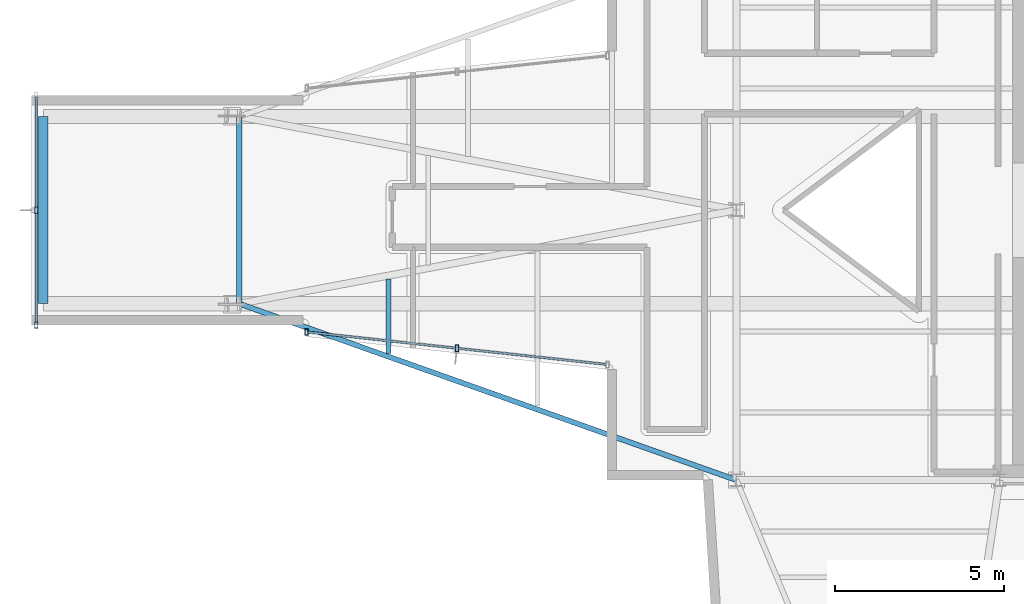
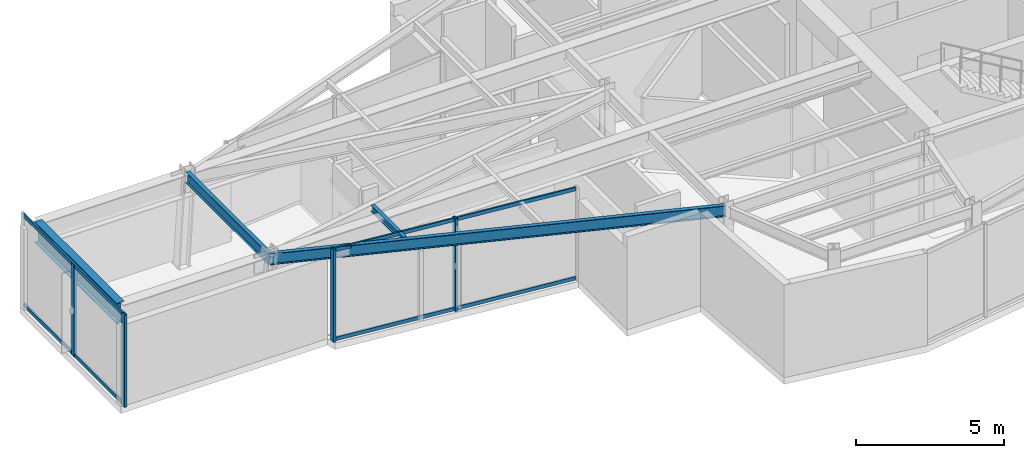
# One storey, part 2 of 18: 8 members, 4 beams, 2 elements without a shape of their own.
"""IFC4 building model written with IfcOpenShell, lengths in metres."""

import ifcopenshell
import ifcopenshell.guid

model = None  # the IFC model being written
_history = None  # IfcOwnerHistory: only IFC2X3 demands one
_inside = {}  # id of a spatial element -> (the spatial element, [elements in it])
_under = {}  # id of a project, library or spatial element -> (it, [spatial elements below it])
_declared = {}  # id of a project -> (the project, [libraries it declares])
_typed = {}  # id of a type object -> (the type object, [elements of that type])
_made_of = {}  # id of a material, layer set ... -> (it, [elements and type objects made of it])


def new_model(schema):
    """Start an empty IFC model of exactly this schema.

    Asked for "IFC4X3", IfcOpenShell would pick the latest addendum, in which some entities
    have other attributes; the version numbers below select the first issue.
    IFC2X3 requires an IfcOwnerHistory on every rooted entity: one is made here for all.
    """
    global model, _history
    if schema == "IFC4X3":
        model = ifcopenshell.file(schema_version=(4, 3, 0, 0))
    else:
        model = ifcopenshell.file(schema=schema)
    _inside.clear()
    _under.clear()
    _declared.clear()
    _typed.clear()
    _made_of.clear()
    _history = None
    if model.schema == "IFC2X3":
        org = make("IfcOrganization", Name="unknown")
        user = make(
            "IfcPersonAndOrganization",
            ThePerson=make("IfcPerson", FamilyName="unknown"),
            TheOrganization=org,
        )
        app = make(
            "IfcApplication",
            ApplicationDeveloper=org,
            Version="unknown",
            ApplicationFullName="unknown",
            ApplicationIdentifier="unknown",
        )
        _history = make(
            "IfcOwnerHistory",
            OwningUser=user,
            OwningApplication=app,
            ChangeAction="ADDED",
            CreationDate=0,
        )
    return model


def make(cls, **values):
    """One entity of the class cls with the attributes given. An attribute that is None is left unset."""
    return model.create_entity(
        cls, **{name: value for name, value in values.items() if value is not None}
    )


def rooted(cls, **values):
    """An entity with a GlobalId (a new one), such as an element, a storey or a relation."""
    return make(cls, GlobalId=ifcopenshell.guid.new(), OwnerHistory=_history, **values)


def si_unit(unit_type, name, prefix=None):
    """IfcSIUnit, for example si_unit("LENGTHUNIT", "METRE", prefix="MILLI")."""
    return make("IfcSIUnit", UnitType=unit_type, Prefix=prefix, Name=name)


def assignment(units):
    """IfcUnitAssignment: the units of a project."""
    return None if units is None else make("IfcUnitAssignment", Units=units)


def point(xyz):
    """IfcCartesianPoint."""
    return None if xyz is None else make("IfcCartesianPoint", Coordinates=xyz)


def direction(xyz):
    """IfcDirection."""
    return None if xyz is None else make("IfcDirection", DirectionRatios=xyz)


def frame(location, z_axis=None, x_axis=None):
    """IfcAxis2Placement3D, a coordinate frame: its origin and axes. An axis left out is left unset."""
    return make(
        "IfcAxis2Placement3D",
        Location=point(location),
        Axis=direction(z_axis),
        RefDirection=direction(x_axis),
    )


def frame_2d(location, x_axis=None):
    """IfcAxis2Placement2D, a coordinate frame in the plane: its origin and x axis."""
    return make(
        "IfcAxis2Placement2D", Location=point(location), RefDirection=direction(x_axis)
    )


def origin():
    """The frame at (0, 0, 0) with its axes left unset."""
    return frame((0.0, 0.0, 0.0))


def origin_2d():
    """The frame at (0, 0) in the plane with its x axis left unset."""
    return frame_2d((0.0, 0.0))


def place(relative_to, where):
    """IfcLocalPlacement: puts the frame where relative to a parent placement (None: the world)."""
    return make(
        "IfcLocalPlacement", PlacementRelTo=relative_to, RelativePlacement=where
    )


def context(
    kind, dimensions, precision=None, world=None, true_north=None, identifier=None
):
    """IfcGeometricRepresentationContext, for example the 3D "Model" context."""
    return make(
        "IfcGeometricRepresentationContext",
        ContextIdentifier=identifier,
        ContextType=kind,
        CoordinateSpaceDimension=dimensions,
        Precision=precision,
        WorldCoordinateSystem=world,
        TrueNorth=true_north,
    )


def subcontext(parent, identifier, kind, view, scale=None):
    """IfcGeometricRepresentationSubContext, for example "Body" below "Model"."""
    return make(
        "IfcGeometricRepresentationSubContext",
        ContextIdentifier=identifier,
        ContextType=kind,
        ParentContext=parent,
        TargetScale=scale,
        TargetView=view,
    )


def project(units=None, contexts=None):
    """IfcProject with its units and contexts."""
    return rooted(
        "IfcProject",
        Name="project",
        RepresentationContexts=contexts,
        UnitsInContext=assignment(units),
    )


def spatial(cls, under=None, at=None, **own):
    """A site, building, storey or space (cls), placed at a placement, below another one or the project."""
    s = rooted(cls, ObjectPlacement=at, **own)
    if under is not None:
        _under.setdefault(under.id(), (under, []))[1].append(s)
    return s


def profile(cls, at=None, kind="AREA", **sizes):
    """A parametric profile (cls). Its sizes go by their IFC names, for example OverallWidth=200.0."""
    return make(cls, ProfileType=kind, Position=at, **sizes)


def hollow_rectangle(**sizes):
    """IfcRectangleHollowProfileDef."""
    return profile("IfcRectangleHollowProfileDef", **sizes)


def i_section(**sizes):
    """IfcIShapeProfileDef."""
    return profile("IfcIShapeProfileDef", **sizes)


def extrude(swept, where, along, depth):
    """IfcExtrudedAreaSolid: the profile swept, set in the frame where, extruded along a direction by depth."""
    return make(
        "IfcExtrudedAreaSolid",
        SweptArea=swept,
        Position=where,
        ExtrudedDirection=direction(along),
        Depth=depth,
    )


def shape(context_of_items, identifier, shape_type, items):
    """IfcShapeRepresentation: the items that make up one representation, for example the "Body"."""
    return make(
        "IfcShapeRepresentation",
        ContextOfItems=context_of_items,
        RepresentationIdentifier=identifier,
        RepresentationType=shape_type,
        Items=items,
    )


def material(Name=None, Category=None):
    """IfcMaterial."""
    return make("IfcMaterial", Name=Name, Category=Category)


def layer(
    of_material, thickness, ventilated=None, Name=None, Category=None, Priority=None
):
    """IfcMaterialLayer: one layer of a wall or slab, of a material (None: an air gap)."""
    return make(
        "IfcMaterialLayer",
        Material=of_material,
        LayerThickness=thickness,
        IsVentilated=ventilated,
        Name=Name,
        Category=Category,
        Priority=Priority,
    )


def layer_set(layers, Name=None):
    """IfcMaterialLayerSet."""
    return make("IfcMaterialLayerSet", MaterialLayers=layers, LayerSetName=Name)


def material_profile(
    of_material, cross_section, Name=None, Category=None, Priority=None
):
    """IfcMaterialProfile: a cross section and its material."""
    return make(
        "IfcMaterialProfile",
        Name=Name,
        Material=of_material,
        Profile=cross_section,
        Priority=Priority,
        Category=Category,
    )


def profile_set(profiles, Name=None, composite=None):
    """IfcMaterialProfileSet."""
    return make(
        "IfcMaterialProfileSet",
        Name=Name,
        MaterialProfiles=profiles,
        CompositeProfile=composite,
    )


def made_of(thing, what):
    """Note that an element or type object is made of a material, layer set ...; save() writes the relation."""
    if what is not None:
        _made_of.setdefault(what.id(), (what, []))[1].append(thing)
    return thing


def type_object(cls, material=None, **own):
    """A type object (cls), such as IfcWallType, which elements share."""
    return made_of(rooted(cls, **own), material)


def element(
    cls,
    number,
    at=None,
    inside=None,
    cuts=None,
    type_object=None,
    material=None,
    context=None,
    identifier="Body",
    shape_type=None,
    held_by="IfcProductDefinitionShape",
    body=None,
    shapes=None,
    **own,
):
    """One element of the class cls, such as IfcWall. Its Tag is "e" and its number.

    at: its placement. inside: the storey or other place that contains it. cuts: it is an
    opening in that element (IfcRelVoidsElement). A single representation is given by context,
    identifier, shape_type and body (its items); several are given by shapes. held_by: the class
    of the entity that holds the representations. save() writes the other relations.
    """
    e = rooted(cls, Tag="e%d" % number, ObjectPlacement=at, **own)
    if body is not None:
        shapes = [shape(context, identifier, shape_type, body)]
    if shapes is not None:
        e.Representation = make(held_by, Representations=shapes)
    if inside is not None:
        _inside.setdefault(inside.id(), (inside, []))[1].append(e)
    if cuts is not None:
        rooted(
            "IfcRelVoidsElement", RelatingBuildingElement=cuts, RelatedOpeningElement=e
        )
    if type_object is not None:
        _typed.setdefault(type_object.id(), (type_object, []))[1].append(e)
    return made_of(e, material)


def aggregate(whole, parts):
    """IfcRelAggregates: a whole, such as a stair, and the parts it consists of."""
    return rooted("IfcRelAggregates", RelatingObject=whole, RelatedObjects=parts)


def save(model, path):
    """Write the relations noted so far, then the file.

    IfcRelAggregates (storeys below a building ...), IfcRelContainedInSpatialStructure (elements
    in a storey), IfcRelDefinesByType, IfcRelAssociatesMaterial and IfcRelDeclares: one each for
    every whole, place, type object, material and project.
    """
    for whole, parts in _under.values():
        aggregate(whole, parts)
    for where, things in _inside.values():
        rooted(
            "IfcRelContainedInSpatialStructure",
            RelatedElements=things,
            RelatingStructure=where,
        )
    for kind, things in _typed.values():
        rooted("IfcRelDefinesByType", RelatedObjects=things, RelatingType=kind)
    for what, things in _made_of.values():
        rooted("IfcRelAssociatesMaterial", RelatedObjects=things, RelatingMaterial=what)
    for by, libraries in _declared.values():
        rooted("IfcRelDeclares", RelatingContext=by, RelatedDefinitions=libraries)
    model.write(path)


model = new_model("IFC4")

# Units and contexts
model_context = context("Model", 3, precision=1e-05, world=origin(), true_north=direction((0.0, 1.0)))
body_context = subcontext(model_context, "Body", "Model", "MODEL_VIEW")
ifc_project = project(units=[si_unit("LENGTHUNIT", "METRE"), si_unit("AREAUNIT", "SQUARE_METRE"), si_unit("VOLUMEUNIT", "CUBIC_METRE"), si_unit("PLANEANGLEUNIT", "RADIAN"), si_unit("MASSUNIT", "GRAM", prefix="KILO")], contexts=[model_context])

# Site, building, storey
site_placement = place(None, origin())
site = spatial("IfcSite", under=ifc_project, at=site_placement, CompositionType="ELEMENT")
building_placement = place(site_placement, origin())
building = spatial("IfcBuilding", under=site, at=building_placement, Name="Veymaron Broadcast Tower", CompositionType="ELEMENT")
storey_placement = place(building_placement, frame((0.0, 0.0, 319.5)))
storey = spatial("IfcBuildingStorey", under=building, at=storey_placement, Name="L75", CompositionType="ELEMENT", Elevation=319.5)

# Beams
ifc_material_1 = material(Name="Structural steel ASTM A992 Gr 50", Category="steel")
ifc_material_profile_1 = material_profile(ifc_material_1, i_section(OverallWidth=0.14599609375, OverallDepth=0.258056640625, WebThickness=0.006103515625, FlangeThickness=0.009033203125, at=origin_2d()), Name="W250X33")
ifc_profile_set_1 = profile_set([ifc_material_profile_1], Name="Structural steel ASTM A992 Gr 50")
beam_type_1 = type_object("IfcBeamType", Name="BM-JS4", PredefinedType="JOIST", material=ifc_profile_set_1)
beam_1_placement = place(storey_placement, frame((20.886474609375, 19.759521484375, 3.680908203125), z_axis=(0.0, 1.0, 0.0), x_axis=(-1.0, 0.0, 0.0)))
element("IfcBeam", 1, at=beam_1_placement, inside=storey, type_object=beam_type_1, Name="L75 Arm-A secondary joist 1S", PredefinedType="JOIST", context=body_context, shape_type="SweptSolid", body=[
    extrude(i_section(OverallWidth=0.14599609375, OverallDepth=0.258056640625, WebThickness=0.006103515625, FlangeThickness=0.009033203125, at=origin_2d()), origin(), (0.0, 0.0, 1.0), 2.2001953125),
])
ifc_material_profile_2 = material_profile(ifc_material_1, i_section(OverallWidth=0.2939453125, OverallDepth=0.85107421875, WebThickness=0.01611328125, FlangeThickness=0.02685546875, at=origin_2d()), Name="W840X226")
ifc_profile_set_2 = profile_set([ifc_material_profile_2], Name="Structural steel ASTM A992 Gr 50")
beam_type_2 = type_object("IfcBeamType", Name="BM-SG2", PredefinedType="BEAM", material=ifc_profile_set_2)
beam_2_placement = place(storey_placement, frame((10.65869140625, 21.22802734375, 3.384521484375), z_axis=(0.0, 1.0, 0.0), x_axis=(-1.0, 0.0, 0.0)))
element("IfcBeam", 2, at=beam_2_placement, inside=storey, type_object=beam_type_2, Name="L75 Sky-Lounge Cantilever Tip Spandrel", PredefinedType="BEAM", context=body_context, shape_type="SweptSolid", body=[
    extrude(i_section(OverallWidth=0.2939453125, OverallDepth=0.85107421875, WebThickness=0.01611328125, FlangeThickness=0.02685546875, at=origin_2d()), origin(), (0.0, 0.0, 1.0), 5.5439453125),
])
ifc_material_profile_3 = material_profile(ifc_material_1, i_section(OverallWidth=0.154052734375, OverallDepth=0.458984375, WebThickness=0.009033203125, FlangeThickness=0.015380859375, at=origin_2d()), Name="W460X68")
ifc_profile_set_3 = profile_set([ifc_material_profile_3], Name="Structural steel ASTM A992 Gr 50")
beam_type_3 = type_object("IfcBeamType", Name="BM-SP2", PredefinedType="SPANDREL", material=ifc_profile_set_3)
beam_3_placement = place(storey_placement, frame((16.46630859375, 21.22802734375, 3.58056640625), z_axis=(0.942428539283, -0.334407608083, 0.0), x_axis=(0.334407608083, 0.942428539283, 0.0)))
element("IfcBeam", 3, at=beam_3_placement, inside=storey, type_object=beam_type_3, Name="L75 primary structural floor girder", PredefinedType="SPANDREL", context=body_context, shape_type="SweptSolid", body=[
    extrude(i_section(OverallWidth=0.154052734375, OverallDepth=0.458984375, WebThickness=0.009033203125, FlangeThickness=0.015380859375, at=origin_2d()), origin(), (0.0, 0.0, 1.0), 15.6337890625),
])
beam_4_placement = place(storey_placement, frame((16.46630859375, 21.22802734375, 3.58056640625), z_axis=(0.0, 1.0, 0.0), x_axis=(-1.0, 0.0, 0.0)))
element("IfcBeam", 4, at=beam_4_placement, inside=storey, type_object=beam_type_3, Name="L75 primary structural floor girder", PredefinedType="SPANDREL", context=body_context, shape_type="SweptSolid", body=[
    extrude(i_section(OverallWidth=0.154052734375, OverallDepth=0.458984375, WebThickness=0.009033203125, FlangeThickness=0.015380859375, at=origin_2d()), origin(), (0.0, 0.0, 1.0), 5.5439453125),
])

# Curtain wall, members
ifc_material_2 = material(Name="Anodised aluminium AA 6063-T6 and laminated low-E dark glass", Category="aluminium")
ifc_layer = layer(ifc_material_2, 0.179931640625)
ifc_layer_set = layer_set([ifc_layer], Name="Anodised aluminium AA 6063-T6 and laminated low-E dark glass")
curtain_wall_type = type_object("IfcCurtainWallType", Name="CW-SYS-07", PredefinedType="NOTDEFINED", material=ifc_layer_set)
curtain_wall_1_placement = place(storey_placement, origin())
curtain_wall_1 = element("IfcCurtainWall", 5, at=curtain_wall_1_placement, inside=storey, type_object=curtain_wall_type, Name="L75 dark-glass curtain wall CW-L75-E2-1", PredefinedType="NOTDEFINED")
ifc_material_3 = material(Name="Anodised aluminium AA 6063-T6", Category="aluminium")
ifc_material_profile_4 = material_profile(ifc_material_3, hollow_rectangle(XDim=0.10009765625, YDim=0.199951171875, WallThickness=0.010009765625, at=origin_2d()), Name="RHS200X100X10")
ifc_profile_set_4 = profile_set([ifc_material_profile_4], Name="Anodised aluminium AA 6063-T6")
member_type_1 = type_object("IfcMemberType", Name="CW-MUL-01", PredefinedType="MULLION", material=ifc_profile_set_4)
member_1_placement = place(storey_placement, frame((18.455078125, 20.390625, 0.0), z_axis=(0.0, 0.0, 1.0), x_axis=(1.0, 0.0, 0.0)))
member_1 = element("IfcMember", 6, at=member_1_placement, type_object=member_type_1, Name="CW-L75-E2-1 mullion 0", PredefinedType="MULLION", context=body_context, shape_type="SweptSolid", body=[
    extrude(hollow_rectangle(XDim=0.10009765625, YDim=0.199951171875, WallThickness=0.010009765625, at=origin_2d()), origin(), (0.0, 0.0, 1.0), 3.81005859375),
])
member_2_placement = place(storey_placement, frame((22.914306640625, 19.9072265625, 0.0), z_axis=(0.0, 0.0, 1.0), x_axis=(1.0, 0.0, 0.0)))
member_2 = element("IfcMember", 7, at=member_2_placement, type_object=member_type_1, Name="CW-L75-E2-1 mullion 1", PredefinedType="MULLION", context=body_context, shape_type="SweptSolid", body=[
    extrude(hollow_rectangle(XDim=0.10009765625, YDim=0.199951171875, WallThickness=0.010009765625, at=origin_2d()), origin(), (0.0, 0.0, 1.0), 3.81005859375),
])

curtain_wall_2_placement = place(storey_placement, origin())
curtain_wall_2 = element("IfcCurtainWall", 8, at=curtain_wall_2_placement, inside=storey, type_object=curtain_wall_type, Name="L75 dark-glass curtain wall CW-L75-E22-1", PredefinedType="NOTDEFINED")
member_3_placement = place(storey_placement, frame((10.44873046875, 24.0, 0.0), z_axis=(0.0, 0.0, 1.0), x_axis=(1.0, 0.0, 0.0)))
member_3 = element("IfcMember", 9, at=member_3_placement, type_object=member_type_1, Name="CW-L75-E22-1 mullion 1", PredefinedType="MULLION", context=body_context, shape_type="SweptSolid", body=[
    extrude(hollow_rectangle(XDim=0.10009765625, YDim=0.199951171875, WallThickness=0.010009765625, at=origin_2d()), origin(), (0.0, 0.0, 1.0), 3.81005859375),
])
member_4_placement = place(storey_placement, frame((10.44873046875, 20.60009765625, 0.0), z_axis=(0.0, 0.0, 1.0), x_axis=(1.0, 0.0, 0.0)))
member_4 = element("IfcMember", 10, at=member_4_placement, type_object=member_type_1, Name="CW-L75-E22-1 mullion 2", PredefinedType="MULLION", context=body_context, shape_type="SweptSolid", body=[
    extrude(hollow_rectangle(XDim=0.10009765625, YDim=0.199951171875, WallThickness=0.010009765625, at=origin_2d()), origin(), (0.0, 0.0, 1.0), 3.81005859375),
])

# Member
ifc_material_profile_5 = material_profile(ifc_material_3, hollow_rectangle(XDim=0.06494140625, YDim=0.14990234375, WallThickness=0.00390625, at=origin_2d()), Name="AL150X65X4")
ifc_profile_set_5 = profile_set([ifc_material_profile_5], Name="Anodised aluminium AA 6063-T6")
member_type_2 = type_object("IfcMemberType", Name="CW-TRN-01", PredefinedType="USERDEFINED", material=ifc_profile_set_5)
member_5_placement = place(storey_placement, frame((18.5048828125, 20.38525390625, 0.070068359375), z_axis=(0.994174890064, -0.107778884599, 0.0), x_axis=(0.107778884599, 0.994174890064, 0.0)))
member_5 = element("IfcMember", 11, at=member_5_placement, type_object=member_type_2, Name="CW-L75-E2-1 transom B", ObjectType="TRANSOM", PredefinedType="USERDEFINED", context=body_context, shape_type="SweptSolid", body=[
    extrude(hollow_rectangle(XDim=0.06494140625, YDim=0.14990234375, WallThickness=0.00390625, at=origin_2d()), origin(), (0.0, 0.0, 1.0), 8.87060546875),
])

member_6_placement = place(storey_placement, frame((18.5048828125, 20.38525390625, 3.739990234375), z_axis=(0.994174890064, -0.107778884599, 0.0), x_axis=(0.107778884599, 0.994174890064, 0.0)))
member_6 = element("IfcMember", 12, at=member_6_placement, type_object=member_type_2, Name="CW-L75-E2-1 transom T", ObjectType="TRANSOM", PredefinedType="USERDEFINED", context=body_context, shape_type="SweptSolid", body=[
    extrude(hollow_rectangle(XDim=0.06494140625, YDim=0.14990234375, WallThickness=0.00390625, at=origin_2d()), origin(), (0.0, 0.0, 1.0), 8.87060546875),
])

aggregate(curtain_wall_1, [member_1, member_2, member_5, member_6])

member_7_placement = place(storey_placement, frame((10.44873046875, 27.35009765625, 0.070068359375), z_axis=(0.0, -1.0, 0.0), x_axis=(1.0, 0.0, 0.0)))
member_7 = element("IfcMember", 13, at=member_7_placement, type_object=member_type_2, Name="CW-L75-E22-1 transom B", ObjectType="TRANSOM", PredefinedType="USERDEFINED", context=body_context, shape_type="SweptSolid", body=[
    extrude(hollow_rectangle(XDim=0.06494140625, YDim=0.14990234375, WallThickness=0.00390625, at=origin_2d()), origin(), (0.0, 0.0, 1.0), 6.7001953125),
])

member_8_placement = place(storey_placement, frame((10.44873046875, 27.35009765625, 3.739990234375), z_axis=(0.0, -1.0, 0.0), x_axis=(1.0, 0.0, 0.0)))
member_8 = element("IfcMember", 14, at=member_8_placement, type_object=member_type_2, Name="CW-L75-E22-1 transom T", ObjectType="TRANSOM", PredefinedType="USERDEFINED", context=body_context, shape_type="SweptSolid", body=[
    extrude(hollow_rectangle(XDim=0.06494140625, YDim=0.14990234375, WallThickness=0.00390625, at=origin_2d()), origin(), (0.0, 0.0, 1.0), 6.7001953125),
])

aggregate(curtain_wall_2, [member_3, member_4, member_7, member_8])

save(model, "model.ifc")
